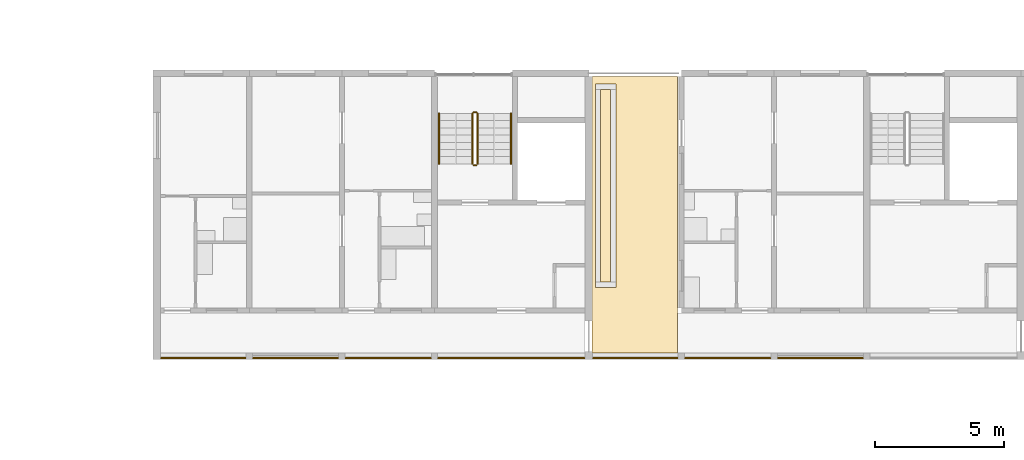
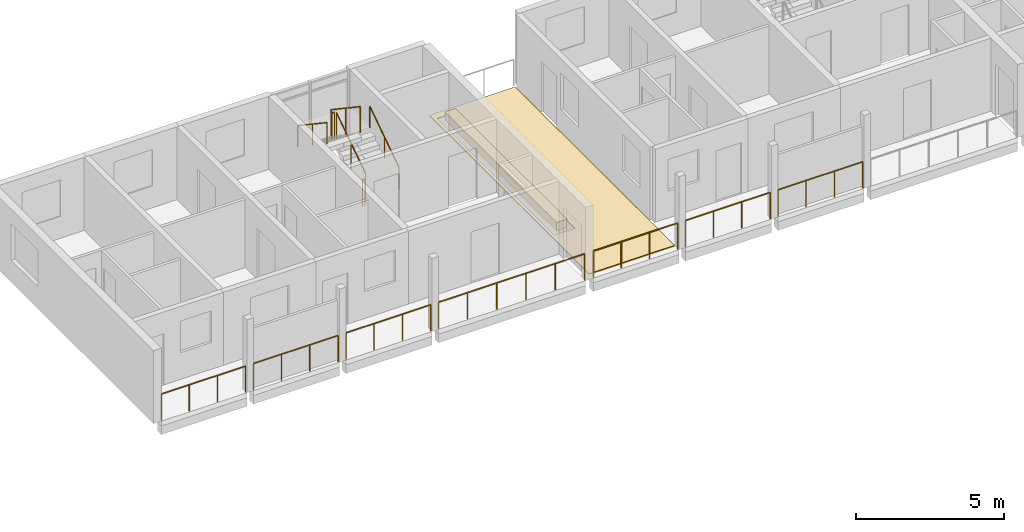
# One storey, part 85 of 94: 13 railings, 3 coverings.
"""IFC4 building model written with IfcOpenShell, lengths in metres."""

from ifc_helpers import new_model, si_unit, direction, frame, origin, origin_2d, place, context, subcontext, project, spatial, polyline, circle, outline, extrude, material, layer, layer_set, type_object, element, save


model = new_model("IFC4")

# Units and contexts
model_context = context("Model", 3, precision=1e-05, world=origin(), true_north=direction((0.0, 1.0)))
body_context = subcontext(model_context, "Body", "Model", "MODEL_VIEW")
ifc_project = project(units=[si_unit("LENGTHUNIT", "METRE"), si_unit("AREAUNIT", "SQUARE_METRE"), si_unit("VOLUMEUNIT", "CUBIC_METRE"), si_unit("PLANEANGLEUNIT", "RADIAN"), si_unit("MASSUNIT", "GRAM", prefix="KILO")], contexts=[model_context])

# Site, building, storey
site_placement = place(None, origin())
site = spatial("IfcSite", under=ifc_project, at=site_placement, CompositionType="ELEMENT")
building_placement = place(site_placement, origin())
building = spatial("IfcBuilding", under=site, at=building_placement, Name="Ridgestep Commons", CompositionType="ELEMENT")
storey_placement = place(building_placement, frame((0.0, 0.0, 21.0)))
storey = spatial("IfcBuildingStorey", under=building, at=storey_placement, Name="L07", CompositionType="ELEMENT", Elevation=21.0)

# Railings
ifc_material_1 = material(Name="Structural steel S355JR", Category="steel")
railing_type_1 = type_object("IfcRailingType", Name="Guard 1100", PredefinedType="GUARDRAIL", material=ifc_material_1)
railing_1_placement = place(storey_placement, frame((146.970947265625, 66.050048828125, 0.0)))
element("IfcRailing", 1, at=railing_1_placement, inside=storey, type_object=railing_type_1, Name="Gallery guard C 07.1", PredefinedType="GUARDRAIL", context=body_context, shape_type="SweptSolid", body=[
    extrude(circle(Radius=0.02392578125, at=origin_2d()), frame((0.0, 0.0, 1.076171875), z_axis=(1.0, 0.0, 0.0), x_axis=(0.0, 1.0, 0.0)), (0.0, 0.0, 1.0), 3.282958984375),
    extrude(circle(Radius=0.02099609375, at=origin_2d()), origin(), (0.0, 0.0, 1.0), 1.052001953125),
    extrude(circle(Radius=0.02099609375, at=origin_2d()), frame((1.09423828125, 0.0, 0.0)), (0.0, 0.0, 1.0), 1.052001953125),
    extrude(circle(Radius=0.02099609375, at=origin_2d()), frame((2.188720703125, 0.0, 0.0)), (0.0, 0.0, 1.0), 1.052001953125),
    extrude(circle(Radius=0.02099609375, at=origin_2d()), frame((3.282958984375, 0.0, 0.0)), (0.0, 0.0, 1.0), 1.052001953125),
])
for number, where, name in (
    (2, (150.5458984375, 66.050048828125, 0.0), "Gallery guard C 07.2"),
    (3, (154.14599609375, 66.050048828125, 0.0), "Gallery guard C 07.3"),
):
    element("IfcRailing", number, at=place(storey_placement, frame(where)), inside=storey, type_object=railing_type_1, Name=name, PredefinedType="GUARDRAIL", context=body_context, shape_type="SweptSolid", body=[
        extrude(circle(Radius=0.02392578125, at=origin_2d()), frame((0.0, 0.0, 1.076171875), z_axis=(1.0, 0.0, 0.0), x_axis=(0.0, 1.0, 0.0)), (0.0, 0.0, 1.0), 3.30810546875),
        extrude(circle(Radius=0.02099609375, at=origin_2d()), origin(), (0.0, 0.0, 1.0), 1.052001953125),
        extrude(circle(Radius=0.02099609375, at=origin_2d()), frame((1.102783203125, 0.0, 0.0)), (0.0, 0.0, 1.0), 1.052001953125),
        extrude(circle(Radius=0.02099609375, at=origin_2d()), frame((2.205322265625, 0.0, 0.0)), (0.0, 0.0, 1.0), 1.052001953125),
        extrude(circle(Radius=0.02099609375, at=origin_2d()), frame((3.30810546875, 0.0, 0.0)), (0.0, 0.0, 1.0), 1.052001953125),
    ])
railing_2_placement = place(storey_placement, frame((157.74609375, 66.050048828125, 0.0)))
element("IfcRailing", 4, at=railing_2_placement, inside=storey, type_object=railing_type_1, Name="Gallery guard C 07.4", PredefinedType="GUARDRAIL", context=body_context, shape_type="SweptSolid", body=[
    extrude(circle(Radius=0.02392578125, at=origin_2d()), frame((0.0, 0.0, 1.076171875), z_axis=(1.0, 0.0, 0.0), x_axis=(0.0, 1.0, 0.0)), (0.0, 0.0, 1.0), 5.682861328125),
    extrude(circle(Radius=0.02099609375, at=origin_2d()), origin(), (0.0, 0.0, 1.0), 1.052001953125),
    extrude(circle(Radius=0.02099609375, at=origin_2d()), frame((1.136474609375, 0.0, 0.0)), (0.0, 0.0, 1.0), 1.052001953125),
    extrude(circle(Radius=0.02099609375, at=origin_2d()), frame((2.273193359375, 0.0, 0.0)), (0.0, 0.0, 1.0), 1.052001953125),
    extrude(circle(Radius=0.02099609375, at=origin_2d()), frame((3.40966796875, 0.0, 0.0)), (0.0, 0.0, 1.0), 1.052001953125),
    extrude(circle(Radius=0.02099609375, at=origin_2d()), frame((4.54638671875, 0.0, 0.0)), (0.0, 0.0, 1.0), 1.052001953125),
    extrude(circle(Radius=0.02099609375, at=origin_2d()), frame((5.682861328125, 0.0, 0.0)), (0.0, 0.0, 1.0), 1.052001953125),
])
railing_3_placement = place(storey_placement, frame((163.77099609375, 66.050048828125, 0.0)))
element("IfcRailing", 5, at=railing_3_placement, inside=storey, type_object=railing_type_1, Name="Gallery guard C 07.5", PredefinedType="GUARDRAIL", context=body_context, shape_type="SweptSolid", body=[
    extrude(circle(Radius=0.02392578125, at=origin_2d()), frame((0.0, 0.0, 1.076171875), z_axis=(1.0, 0.0, 0.0), x_axis=(0.0, 1.0, 0.0)), (0.0, 0.0, 1.0), 3.282958984375),
    extrude(circle(Radius=0.02099609375, at=origin_2d()), origin(), (0.0, 0.0, 1.0), 1.052001953125),
    extrude(circle(Radius=0.02099609375, at=origin_2d()), frame((1.09423828125, 0.0, 0.0)), (0.0, 0.0, 1.0), 1.052001953125),
    extrude(circle(Radius=0.02099609375, at=origin_2d()), frame((2.188720703125, 0.0, 0.0)), (0.0, 0.0, 1.0), 1.052001953125),
    extrude(circle(Radius=0.02099609375, at=origin_2d()), frame((3.282958984375, 0.0, 0.0)), (0.0, 0.0, 1.0), 1.052001953125),
])
railing_4_placement = place(storey_placement, frame((167.345947265625, 66.050048828125, 0.0)))
element("IfcRailing", 6, at=railing_4_placement, inside=storey, type_object=railing_type_1, Name="Gallery guard C 07.6", PredefinedType="GUARDRAIL", context=body_context, shape_type="SweptSolid", body=[
    extrude(circle(Radius=0.02392578125, at=origin_2d()), frame((0.0, 0.0, 1.076171875), z_axis=(1.0, 0.0, 0.0), x_axis=(0.0, 1.0, 0.0)), (0.0, 0.0, 1.0), 3.30810546875),
    extrude(circle(Radius=0.02099609375, at=origin_2d()), origin(), (0.0, 0.0, 1.0), 1.052001953125),
    extrude(circle(Radius=0.02099609375, at=origin_2d()), frame((1.102783203125, 0.0, 0.0)), (0.0, 0.0, 1.0), 1.052001953125),
    extrude(circle(Radius=0.02099609375, at=origin_2d()), frame((2.205322265625, 0.0, 0.0)), (0.0, 0.0, 1.0), 1.052001953125),
    extrude(circle(Radius=0.02099609375, at=origin_2d()), frame((3.30810546875, 0.0, 0.0)), (0.0, 0.0, 1.0), 1.052001953125),
])
railing_5_placement = place(storey_placement, frame((170.946044921875, 66.050048828125, 0.0)))
element("IfcRailing", 7, at=railing_5_placement, inside=storey, type_object=railing_type_1, Name="Gallery guard C 07.7", PredefinedType="GUARDRAIL", context=body_context, shape_type="SweptSolid", body=[
    extrude(circle(Radius=0.02392578125, at=origin_2d()), frame((0.0, 0.0, 1.076171875), z_axis=(1.0, 0.0, 0.0), x_axis=(0.0, 1.0, 0.0)), (0.0, 0.0, 1.0), 3.307861328125),
    extrude(circle(Radius=0.02099609375, at=origin_2d()), origin(), (0.0, 0.0, 1.0), 1.052001953125),
    extrude(circle(Radius=0.02099609375, at=origin_2d()), frame((1.1025390625, 0.0, 0.0)), (0.0, 0.0, 1.0), 1.052001953125),
    extrude(circle(Radius=0.02099609375, at=origin_2d()), frame((2.205322265625, 0.0, 0.0)), (0.0, 0.0, 1.0), 1.052001953125),
    extrude(circle(Radius=0.02099609375, at=origin_2d()), frame((3.307861328125, 0.0, 0.0)), (0.0, 0.0, 1.0), 1.052001953125),
])

# Covering
ifc_material_2 = material(Name="Planting soil")
ifc_layer_1 = layer(ifc_material_2, 0.35009765625)
ifc_layer_set_1 = layer_set([ifc_layer_1], Name="Planting soil 350")
covering_type_1 = type_object("IfcCoveringType", Name="Planting soil 350", PredefinedType="FLOORING", material=ifc_layer_set_1)
covering_1_placement = place(storey_placement, frame((0.0, 0.0, 0.010009765625)))
element("IfcCovering", 8, at=covering_1_placement, inside=storey, type_object=covering_type_1, Name="Planting soil C2R1", PredefinedType="FLOORING", context=body_context, shape_type="SweptSolid", body=[
    extrude(outline(polyline([(164.050048828125, 69.0), (164.449951171875, 69.0), (164.449951171875, 76.5), (164.050048828125, 76.5), (164.050048828125, 69.0)])), origin(), (0.0, 0.0, 1.0), 0.35009765625),
])

# Railings
ifc_material_3 = material(Name="Structural steel S355JR", Category="steel")
railing_type_2 = type_object("IfcRailingType", Name="Stair guard 1100", PredefinedType="GUARDRAIL", material=ifc_material_3)
railing_6_placement = place(storey_placement, frame((159.27490234375, 73.60009765625, 0.1875)))
element("IfcRailing", 9, at=railing_6_placement, inside=storey, type_object=railing_type_2, Name="L07 C1C stair guard 1", PredefinedType="GUARDRAIL", context=body_context, shape_type="SweptSolid", body=[
    extrude(circle(Radius=0.02392578125, at=origin_2d()), frame((0.0, 0.0, 1.076171875), z_axis=(0.0, 0.830902050051, 0.556418712142), x_axis=(-1.0, 0.0, 0.0)), (0.0, 0.0, 1.0), 2.35888671875),
    extrude(circle(Radius=0.02099609375, at=origin_2d()), origin(), (0.0, 0.0, 1.0), 1.052001953125),
    extrude(circle(Radius=0.02099609375, at=origin_2d()), frame((0.0, 0.97998046875, 0.65625)), (0.0, 0.0, 1.0), 1.052001953125),
    extrude(circle(Radius=0.02099609375, at=origin_2d()), frame((0.0, 1.9599609375, 1.3125)), (0.0, 0.0, 1.0), 1.052001953125),
])
railing_7_placement = place(storey_placement, frame((159.22509765625, 75.610107421875, 1.5)))
element("IfcRailing", 10, at=railing_7_placement, inside=storey, type_object=railing_type_2, Name="L07 C1C stair guard 2", PredefinedType="GUARDRAIL", context=body_context, shape_type="SweptSolid", body=[
    extrude(circle(Radius=0.02392578125, at=origin_2d()), frame((0.0, 0.0, 1.076171875), z_axis=(-1.0, 0.0, 0.0), x_axis=(0.0, -1.0, 0.0)), (0.0, 0.0, 1.0), 0.10009765625),
    extrude(circle(Radius=0.02099609375, at=origin_2d()), origin(), (0.0, 0.0, 1.0), 1.052001953125),
    extrude(circle(Radius=0.02099609375, at=origin_2d()), frame((-0.10009765625, 0.0, 0.0)), (0.0, 0.0, 1.0), 1.052001953125),
])
railing_8_placement = place(storey_placement, frame((159.074951171875, 75.56005859375, 1.6875)))
element("IfcRailing", 11, at=railing_8_placement, inside=storey, type_object=railing_type_2, Name="L07 C1C stair guard 3", PredefinedType="GUARDRAIL", context=body_context, shape_type="SweptSolid", body=[
    extrude(circle(Radius=0.02392578125, at=origin_2d()), frame((0.0, 0.0, 1.076171875), z_axis=(0.0, -0.830902050051, 0.556418712142), x_axis=(1.0, 0.0, 0.0)), (0.0, 0.0, 1.0), 2.35888671875),
    extrude(circle(Radius=0.02099609375, at=origin_2d()), origin(), (0.0, 0.0, 1.0), 1.052001953125),
    extrude(circle(Radius=0.02099609375, at=origin_2d()), frame((0.0, -0.97998046875, 0.65625)), (0.0, 0.0, 1.0), 1.052001953125),
    extrude(circle(Radius=0.02099609375, at=origin_2d()), frame((0.0, -1.9599609375, 1.3125)), (0.0, 0.0, 1.0), 1.052001953125),
])
railing_9_placement = place(storey_placement, frame((159.22509765625, 73.550048828125, 0.0)))
element("IfcRailing", 12, at=railing_9_placement, inside=storey, type_object=railing_type_2, Name="L07 C1C stair guard 4", PredefinedType="GUARDRAIL", context=body_context, shape_type="SweptSolid", body=[
    extrude(circle(Radius=0.02392578125, at=origin_2d()), frame((0.0, 0.0, 1.076171875), z_axis=(-1.0, 0.0, 0.0), x_axis=(0.0, -1.0, 0.0)), (0.0, 0.0, 1.0), 0.10009765625),
    extrude(circle(Radius=0.02099609375, at=origin_2d()), origin(), (0.0, 0.0, 1.0), 1.052001953125),
    extrude(circle(Radius=0.02099609375, at=origin_2d()), frame((-0.10009765625, 0.0, 0.0)), (0.0, 0.0, 1.0), 1.052001953125),
])
ifc_material_4 = material(Name="Structural steel S355JR", Category="steel")
railing_type_3 = type_object("IfcRailingType", Name="Stair handrail 900", PredefinedType="HANDRAIL", material=ifc_material_4)
railing_10_placement = place(storey_placement, frame((160.574951171875, 73.60009765625, 0.1875)))
element("IfcRailing", 13, at=railing_10_placement, inside=storey, type_object=railing_type_3, Name="L07 C1C stair handrail 1", PredefinedType="HANDRAIL", context=body_context, shape_type="SweptSolid", body=[
    extrude(circle(Radius=0.02392578125, at=origin_2d()), frame((0.0, 0.0, 0.8759765625), z_axis=(0.0, 0.830902050051, 0.556418712142), x_axis=(-1.0, 0.0, 0.0)), (0.0, 0.0, 1.0), 2.35888671875),
    extrude(circle(Radius=0.02099609375, at=origin_2d()), origin(), (0.0, 0.0, 1.0), 0.851806640625),
    extrude(circle(Radius=0.02099609375, at=origin_2d()), frame((0.0, 0.97998046875, 0.65625)), (0.0, 0.0, 1.0), 0.851806640625),
    extrude(circle(Radius=0.02099609375, at=origin_2d()), frame((0.0, 1.9599609375, 1.3125)), (0.0, 0.0, 1.0), 0.851806640625),
])
railing_11_placement = place(storey_placement, frame((157.77490234375, 75.56005859375, 1.6875)))
element("IfcRailing", 14, at=railing_11_placement, inside=storey, type_object=railing_type_3, Name="L07 C1C stair handrail 2", PredefinedType="HANDRAIL", context=body_context, shape_type="SweptSolid", body=[
    extrude(circle(Radius=0.02392578125, at=origin_2d()), frame((0.0, 0.0, 0.8759765625), z_axis=(0.0, -0.830902050051, 0.556418712142), x_axis=(1.0, 0.0, 0.0)), (0.0, 0.0, 1.0), 2.35888671875),
    extrude(circle(Radius=0.02099609375, at=origin_2d()), origin(), (0.0, 0.0, 1.0), 0.851806640625),
    extrude(circle(Radius=0.02099609375, at=origin_2d()), frame((0.0, -0.97998046875, 0.65625)), (0.0, 0.0, 1.0), 0.851806640625),
    extrude(circle(Radius=0.02099609375, at=origin_2d()), frame((0.0, -1.9599609375, 1.3125)), (0.0, 0.0, 1.0), 0.851806640625),
])

# Coverings
ifc_material_5 = material(Name="Bitumen membrane, two layer")
ifc_layer_2 = layer(ifc_material_5, 0.010009765625)
ifc_layer_set_2 = layer_set([ifc_layer_2], Name="Terrace membrane 10")
covering_type_2 = type_object("IfcCoveringType", Name="Terrace membrane 10", PredefinedType="ROOFING", material=ifc_layer_set_2)
covering_2_placement = place(storey_placement, origin())
element("IfcCovering", 15, at=covering_2_placement, inside=storey, type_object=covering_type_2, Name="Terrace membrane C2R1", PredefinedType="ROOFING", context=body_context, shape_type="SweptSolid", body=[
    extrude(outline(polyline([(167.050048828125, 66.25), (167.050048828125, 77.0), (163.72509765625, 77.0), (163.72509765625, 66.25), (167.050048828125, 66.25)]), holes=[polyline([(164.64990234375, 68.800048828125), (164.64990234375, 76.699951171875), (163.85009765625, 76.699951171875), (163.85009765625, 68.800048828125), (164.64990234375, 68.800048828125)])]), origin(), (0.0, 0.0, 1.0), 0.010009765625),
])
ifc_material_6 = material(Name="Concrete paving slab", Category="concrete")
ifc_layer_3 = layer(ifc_material_6, 0.030029296875)
ifc_layer_set_3 = layer_set([ifc_layer_3], Name="Terrace paving 30")
covering_type_3 = type_object("IfcCoveringType", Name="Terrace paving 30", PredefinedType="FLOORING", material=ifc_layer_set_3)
covering_3_placement = place(storey_placement, frame((0.0, 0.0, 0.010009765625)))
element("IfcCovering", 16, at=covering_3_placement, inside=storey, type_object=covering_type_3, Name="Terrace paving C2R1", PredefinedType="FLOORING", context=body_context, shape_type="SweptSolid", body=[
    extrude(outline(polyline([(167.050048828125, 66.25), (167.050048828125, 77.0), (163.72509765625, 77.0), (163.72509765625, 66.25), (167.050048828125, 66.25)]), holes=[polyline([(164.64990234375, 68.800048828125), (164.64990234375, 76.699951171875), (163.85009765625, 76.699951171875), (163.85009765625, 68.800048828125), (164.64990234375, 68.800048828125)])]), origin(), (0.0, 0.0, 1.0), 0.030029296875),
])

save(model, "model.ifc")
